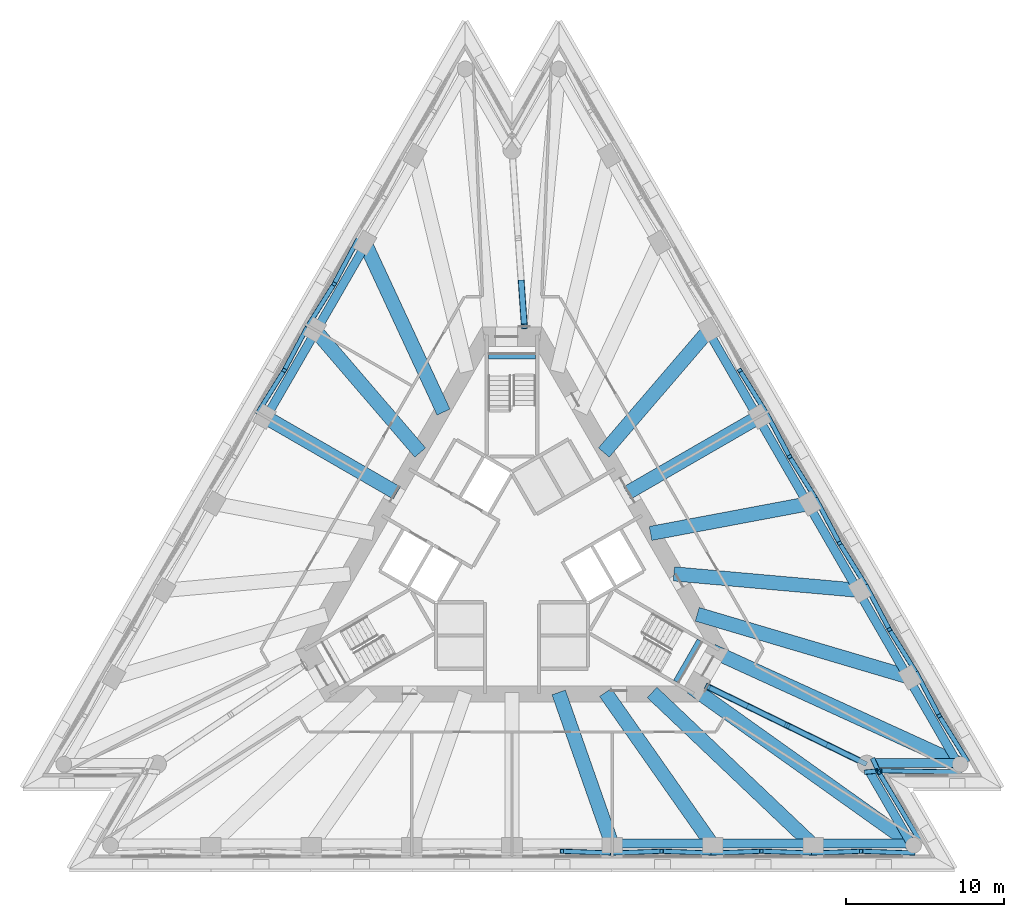
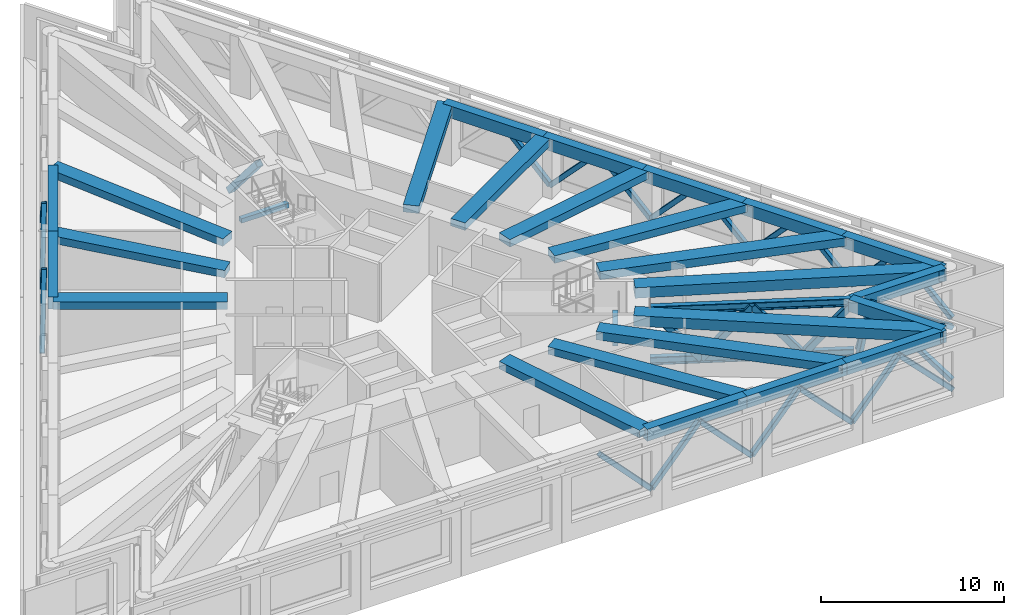
# One storey, part 2 of 12: 31 members, 27 beams.
"""IFC4 building model written with IfcOpenShell, lengths in metres."""

import ifcopenshell
import ifcopenshell.guid

model = None  # the IFC model being written
_history = None  # IfcOwnerHistory: only IFC2X3 demands one
_inside = {}  # id of a spatial element -> (the spatial element, [elements in it])
_under = {}  # id of a project, library or spatial element -> (it, [spatial elements below it])
_declared = {}  # id of a project -> (the project, [libraries it declares])
_typed = {}  # id of a type object -> (the type object, [elements of that type])
_made_of = {}  # id of a material, layer set ... -> (it, [elements and type objects made of it])


def new_model(schema):
    """Start an empty IFC model of exactly this schema.

    Asked for "IFC4X3", IfcOpenShell would pick the latest addendum, in which some entities
    have other attributes; the version numbers below select the first issue.
    IFC2X3 requires an IfcOwnerHistory on every rooted entity: one is made here for all.
    """
    global model, _history
    if schema == "IFC4X3":
        model = ifcopenshell.file(schema_version=(4, 3, 0, 0))
    else:
        model = ifcopenshell.file(schema=schema)
    _inside.clear()
    _under.clear()
    _declared.clear()
    _typed.clear()
    _made_of.clear()
    _history = None
    if model.schema == "IFC2X3":
        org = make("IfcOrganization", Name="unknown")
        user = make(
            "IfcPersonAndOrganization",
            ThePerson=make("IfcPerson", FamilyName="unknown"),
            TheOrganization=org,
        )
        app = make(
            "IfcApplication",
            ApplicationDeveloper=org,
            Version="unknown",
            ApplicationFullName="unknown",
            ApplicationIdentifier="unknown",
        )
        _history = make(
            "IfcOwnerHistory",
            OwningUser=user,
            OwningApplication=app,
            ChangeAction="ADDED",
            CreationDate=0,
        )
    return model


def make(cls, **values):
    """One entity of the class cls with the attributes given. An attribute that is None is left unset."""
    return model.create_entity(
        cls, **{name: value for name, value in values.items() if value is not None}
    )


def rooted(cls, **values):
    """An entity with a GlobalId (a new one), such as an element, a storey or a relation."""
    return make(cls, GlobalId=ifcopenshell.guid.new(), OwnerHistory=_history, **values)


def si_unit(unit_type, name, prefix=None):
    """IfcSIUnit, for example si_unit("LENGTHUNIT", "METRE", prefix="MILLI")."""
    return make("IfcSIUnit", UnitType=unit_type, Prefix=prefix, Name=name)


def assignment(units):
    """IfcUnitAssignment: the units of a project."""
    return None if units is None else make("IfcUnitAssignment", Units=units)


def point(xyz):
    """IfcCartesianPoint."""
    return None if xyz is None else make("IfcCartesianPoint", Coordinates=xyz)


def direction(xyz):
    """IfcDirection."""
    return None if xyz is None else make("IfcDirection", DirectionRatios=xyz)


def frame(location, z_axis=None, x_axis=None):
    """IfcAxis2Placement3D, a coordinate frame: its origin and axes. An axis left out is left unset."""
    return make(
        "IfcAxis2Placement3D",
        Location=point(location),
        Axis=direction(z_axis),
        RefDirection=direction(x_axis),
    )


def frame_2d(location, x_axis=None):
    """IfcAxis2Placement2D, a coordinate frame in the plane: its origin and x axis."""
    return make(
        "IfcAxis2Placement2D", Location=point(location), RefDirection=direction(x_axis)
    )


def origin():
    """The frame at (0, 0, 0) with its axes left unset."""
    return frame((0.0, 0.0, 0.0))


def origin_2d():
    """The frame at (0, 0) in the plane with its x axis left unset."""
    return frame_2d((0.0, 0.0))


def place(relative_to, where):
    """IfcLocalPlacement: puts the frame where relative to a parent placement (None: the world)."""
    return make(
        "IfcLocalPlacement", PlacementRelTo=relative_to, RelativePlacement=where
    )


def context(
    kind, dimensions, precision=None, world=None, true_north=None, identifier=None
):
    """IfcGeometricRepresentationContext, for example the 3D "Model" context."""
    return make(
        "IfcGeometricRepresentationContext",
        ContextIdentifier=identifier,
        ContextType=kind,
        CoordinateSpaceDimension=dimensions,
        Precision=precision,
        WorldCoordinateSystem=world,
        TrueNorth=true_north,
    )


def subcontext(parent, identifier, kind, view, scale=None):
    """IfcGeometricRepresentationSubContext, for example "Body" below "Model"."""
    return make(
        "IfcGeometricRepresentationSubContext",
        ContextIdentifier=identifier,
        ContextType=kind,
        ParentContext=parent,
        TargetScale=scale,
        TargetView=view,
    )


def project(units=None, contexts=None):
    """IfcProject with its units and contexts."""
    return rooted(
        "IfcProject",
        Name="project",
        RepresentationContexts=contexts,
        UnitsInContext=assignment(units),
    )


def spatial(cls, under=None, at=None, **own):
    """A site, building, storey or space (cls), placed at a placement, below another one or the project."""
    s = rooted(cls, ObjectPlacement=at, **own)
    if under is not None:
        _under.setdefault(under.id(), (under, []))[1].append(s)
    return s


def profile(cls, at=None, kind="AREA", **sizes):
    """A parametric profile (cls). Its sizes go by their IFC names, for example OverallWidth=200.0."""
    return make(cls, ProfileType=kind, Position=at, **sizes)


def rectangle(**sizes):
    """IfcRectangleProfileDef."""
    return profile("IfcRectangleProfileDef", **sizes)


def hollow_rectangle(**sizes):
    """IfcRectangleHollowProfileDef."""
    return profile("IfcRectangleHollowProfileDef", **sizes)


def i_section(**sizes):
    """IfcIShapeProfileDef."""
    return profile("IfcIShapeProfileDef", **sizes)


def extrude(swept, where, along, depth):
    """IfcExtrudedAreaSolid: the profile swept, set in the frame where, extruded along a direction by depth."""
    return make(
        "IfcExtrudedAreaSolid",
        SweptArea=swept,
        Position=where,
        ExtrudedDirection=direction(along),
        Depth=depth,
    )


def shape(context_of_items, identifier, shape_type, items):
    """IfcShapeRepresentation: the items that make up one representation, for example the "Body"."""
    return make(
        "IfcShapeRepresentation",
        ContextOfItems=context_of_items,
        RepresentationIdentifier=identifier,
        RepresentationType=shape_type,
        Items=items,
    )


def material(Name=None, Category=None):
    """IfcMaterial."""
    return make("IfcMaterial", Name=Name, Category=Category)


def material_profile(
    of_material, cross_section, Name=None, Category=None, Priority=None
):
    """IfcMaterialProfile: a cross section and its material."""
    return make(
        "IfcMaterialProfile",
        Name=Name,
        Material=of_material,
        Profile=cross_section,
        Priority=Priority,
        Category=Category,
    )


def profile_set(profiles, Name=None, composite=None):
    """IfcMaterialProfileSet."""
    return make(
        "IfcMaterialProfileSet",
        Name=Name,
        MaterialProfiles=profiles,
        CompositeProfile=composite,
    )


def made_of(thing, what):
    """Note that an element or type object is made of a material, layer set ...; save() writes the relation."""
    if what is not None:
        _made_of.setdefault(what.id(), (what, []))[1].append(thing)
    return thing


def type_object(cls, material=None, **own):
    """A type object (cls), such as IfcWallType, which elements share."""
    return made_of(rooted(cls, **own), material)


def element(
    cls,
    number,
    at=None,
    inside=None,
    cuts=None,
    type_object=None,
    material=None,
    context=None,
    identifier="Body",
    shape_type=None,
    held_by="IfcProductDefinitionShape",
    body=None,
    shapes=None,
    **own,
):
    """One element of the class cls, such as IfcWall. Its Tag is "e" and its number.

    at: its placement. inside: the storey or other place that contains it. cuts: it is an
    opening in that element (IfcRelVoidsElement). A single representation is given by context,
    identifier, shape_type and body (its items); several are given by shapes. held_by: the class
    of the entity that holds the representations. save() writes the other relations.
    """
    e = rooted(cls, Tag="e%d" % number, ObjectPlacement=at, **own)
    if body is not None:
        shapes = [shape(context, identifier, shape_type, body)]
    if shapes is not None:
        e.Representation = make(held_by, Representations=shapes)
    if inside is not None:
        _inside.setdefault(inside.id(), (inside, []))[1].append(e)
    if cuts is not None:
        rooted(
            "IfcRelVoidsElement", RelatingBuildingElement=cuts, RelatedOpeningElement=e
        )
    if type_object is not None:
        _typed.setdefault(type_object.id(), (type_object, []))[1].append(e)
    return made_of(e, material)


def aggregate(whole, parts):
    """IfcRelAggregates: a whole, such as a stair, and the parts it consists of."""
    return rooted("IfcRelAggregates", RelatingObject=whole, RelatedObjects=parts)


def save(model, path):
    """Write the relations noted so far, then the file.

    IfcRelAggregates (storeys below a building ...), IfcRelContainedInSpatialStructure (elements
    in a storey), IfcRelDefinesByType, IfcRelAssociatesMaterial and IfcRelDeclares: one each for
    every whole, place, type object, material and project.
    """
    for whole, parts in _under.values():
        aggregate(whole, parts)
    for where, things in _inside.values():
        rooted(
            "IfcRelContainedInSpatialStructure",
            RelatedElements=things,
            RelatingStructure=where,
        )
    for kind, things in _typed.values():
        rooted("IfcRelDefinesByType", RelatedObjects=things, RelatingType=kind)
    for what, things in _made_of.values():
        rooted("IfcRelAssociatesMaterial", RelatedObjects=things, RelatingMaterial=what)
    for by, libraries in _declared.values():
        rooted("IfcRelDeclares", RelatingContext=by, RelatedDefinitions=libraries)
    model.write(path)


model = new_model("IFC4")

# Units and contexts
model_context = context("Model", 3, precision=1e-05, world=origin(), true_north=direction((0.0, 1.0)))
body_context = subcontext(model_context, "Body", "Model", "MODEL_VIEW")
ifc_project = project(units=[si_unit("LENGTHUNIT", "METRE"), si_unit("AREAUNIT", "SQUARE_METRE"), si_unit("VOLUMEUNIT", "CUBIC_METRE"), si_unit("PLANEANGLEUNIT", "RADIAN"), si_unit("MASSUNIT", "GRAM", prefix="KILO")], contexts=[model_context])

# Site, building, storey
site_placement = place(None, origin())
site = spatial("IfcSite", under=ifc_project, at=site_placement, CompositionType="ELEMENT")
building_placement = place(site_placement, origin())
building = spatial("IfcBuilding", under=site, at=building_placement, Name="Triada Interchange Tower", CompositionType="ELEMENT")
storey_placement = place(building_placement, frame((0.0, 0.0, 180.800048828125)))
storey = spatial("IfcBuildingStorey", under=building, at=storey_placement, Name="L42", CompositionType="ELEMENT", Elevation=180.800048828125)

# Members
ifc_material_1 = material(Name="Steel S355", Category="steel")
ifc_material_profile_1 = material_profile(ifc_material_1, hollow_rectangle(XDim=0.300048828125, YDim=0.300048828125, WallThickness=0.01611328125, InnerFilletRadius=0.01611328125, OuterFilletRadius=0.02392578125, at=origin_2d()), Name="RHS 300x300x16")
ifc_profile_set_1 = profile_set([ifc_material_profile_1], Name="Steel S355")
member_type_1 = type_object("IfcMemberType", Name="Belt truss diagonal RHS 300x300x16", PredefinedType="BRACE", material=ifc_profile_set_1)
member_1_placement = place(storey_placement, frame((-9.717041015625, 20.25, 0.14990234375), z_axis=(-0.326440456096, -0.612482462948, 0.719931844833), x_axis=(0.882482646576, -0.470344956912, 0.0)))
element("IfcMember", 1, at=member_1_placement, inside=storey, type_object=member_type_1, Name="Belt truss diagonal 005 L42", PredefinedType="BRACE", context=body_context, shape_type="SweptSolid", body=[
    extrude(hollow_rectangle(XDim=0.300048828125, YDim=0.300048828125, WallThickness=0.01611328125, InnerFilletRadius=0.01611328125, OuterFilletRadius=0.02392578125, at=origin_2d()), origin(), (0.0, 0.0, 1.0), 4.6533203125),
])
member_2_placement = place(storey_placement, frame((-12.886962890625, 14.760009765625, 0.14990234375), z_axis=(0.3609602785, 0.577205485273, 0.732489935163), x_axis=(-0.847861716798, 0.530217416904, 0.0)))
element("IfcMember", 2, at=member_2_placement, inside=storey, type_object=member_type_1, Name="Belt truss diagonal 006 L42", PredefinedType="BRACE", context=body_context, shape_type="SweptSolid", body=[
    extrude(hollow_rectangle(XDim=0.300048828125, YDim=0.300048828125, WallThickness=0.01611328125, InnerFilletRadius=0.01611328125, OuterFilletRadius=0.02392578125, at=origin_2d()), origin(), (0.0, 0.0, 1.0), 4.573486328125),
])
member_3_placement = place(storey_placement, frame((-12.886962890625, 14.760009765625, 0.14990234375), z_axis=(-0.324233971551, -0.608677511046, 0.724143645446), x_axis=(0.882590069783, -0.470143349119, 0.0)))
element("IfcMember", 3, at=member_3_placement, inside=storey, type_object=member_type_1, Name="Belt truss diagonal 007 L42", PredefinedType="BRACE", context=body_context, shape_type="SweptSolid", body=[
    extrude(hollow_rectangle(XDim=0.300048828125, YDim=0.300048828125, WallThickness=0.01611328125, InnerFilletRadius=0.01611328125, OuterFilletRadius=0.02392578125, at=origin_2d()), origin(), (0.0, 0.0, 1.0), 4.626220703125),
])
member_4_placement = place(storey_placement, frame((-16.055908203125, 9.27099609375, 0.14990234375), z_axis=(0.362865876134, 0.581190532153, 0.728385832697), x_axis=(-0.848246297169, 0.529601944237, 0.0)))
element("IfcMember", 4, at=member_4_placement, inside=storey, type_object=member_type_1, Name="Belt truss diagonal 008 L42", PredefinedType="BRACE", context=body_context, shape_type="SweptSolid", body=[
    extrude(hollow_rectangle(XDim=0.300048828125, YDim=0.300048828125, WallThickness=0.01611328125, InnerFilletRadius=0.01611328125, OuterFilletRadius=0.02392578125, at=origin_2d()), origin(), (0.0, 0.0, 1.0), 4.599365234375),
])
member_5_placement = place(storey_placement, frame((6.339111328125, -18.541015625, 0.14990234375), z_axis=(-0.689305671041, 0.023798274335, 0.724079646178), x_axis=(-0.034504436166, -0.999404544659, 0.0)))
element("IfcMember", 5, at=member_5_placement, inside=storey, type_object=member_type_1, Name="Belt truss diagonal 030 L42", PredefinedType="BRACE", context=body_context, shape_type="SweptSolid", body=[
    extrude(hollow_rectangle(XDim=0.300048828125, YDim=0.300048828125, WallThickness=0.01611328125, InnerFilletRadius=0.01611328125, OuterFilletRadius=0.02392578125, at=origin_2d()), origin(), (0.0, 0.0, 1.0), 4.626708984375),
])
member_6_placement = place(storey_placement, frame((6.339111328125, -18.541015625, 0.14990234375), z_axis=(0.680257927554, 0.02407756438, 0.732577247049), x_axis=(-0.035372607226, 0.999374193512, 0.0)))
element("IfcMember", 6, at=member_6_placement, inside=storey, type_object=member_type_1, Name="Belt truss diagonal 031 L42", PredefinedType="BRACE", context=body_context, shape_type="SweptSolid", body=[
    extrude(hollow_rectangle(XDim=0.300048828125, YDim=0.300048828125, WallThickness=0.01611328125, InnerFilletRadius=0.01611328125, OuterFilletRadius=0.02392578125, at=origin_2d()), origin(), (0.0, 0.0, 1.0), 4.572998046875),
])
member_7_placement = place(storey_placement, frame((12.677978515625, -18.541015625, 0.14990234375), z_axis=(-0.6936712802, 0.023661000406, 0.719902987968), x_axis=(-0.034089991232, -0.999418767333, 0.0)))
element("IfcMember", 7, at=member_7_placement, inside=storey, type_object=member_type_1, Name="Belt truss diagonal 032 L42", PredefinedType="BRACE", context=body_context, shape_type="SweptSolid", body=[
    extrude(hollow_rectangle(XDim=0.300048828125, YDim=0.300048828125, WallThickness=0.01611328125, InnerFilletRadius=0.01611328125, OuterFilletRadius=0.02392578125, at=origin_2d()), origin(), (0.0, 0.0, 1.0), 4.653564453125),
])
member_8_placement = place(storey_placement, frame((12.677978515625, -18.541015625, 0.14990234375), z_axis=(0.675774455183, 0.024213416961, 0.73671065973), x_axis=(-0.035807640745, 0.9993587008, 0.0)))
element("IfcMember", 8, at=member_8_placement, inside=storey, type_object=member_type_1, Name="Belt truss diagonal 033 L42", PredefinedType="BRACE", context=body_context, shape_type="SweptSolid", body=[
    extrude(hollow_rectangle(XDim=0.300048828125, YDim=0.300048828125, WallThickness=0.01611328125, InnerFilletRadius=0.01611328125, OuterFilletRadius=0.02392578125, at=origin_2d()), origin(), (0.0, 0.0, 1.0), 4.54736328125),
])
member_9_placement = place(storey_placement, frame((19.01806640625, -18.541015625, 0.14990234375), z_axis=(-0.697988510116, 0.023523600214, 0.715722488105), x_axis=(-0.033682864271, -0.99943257134, 0.0)))
element("IfcMember", 9, at=member_9_placement, inside=storey, type_object=member_type_1, Name="Belt truss diagonal 034 L42", PredefinedType="BRACE", context=body_context, shape_type="SweptSolid", body=[
    extrude(hollow_rectangle(XDim=0.300048828125, YDim=0.300048828125, WallThickness=0.01611328125, InnerFilletRadius=0.01611328125, OuterFilletRadius=0.02392578125, at=origin_2d()), origin(), (0.0, 0.0, 1.0), 4.6806640625),
])
member_10_placement = place(storey_placement, frame((19.01806640625, -18.541015625, 0.14990234375), z_axis=(0.670947574384, 0.024357832733, 0.741104613676), x_axis=(-0.036279730735, 0.999341673872, 0.0)))
element("IfcMember", 10, at=member_10_placement, inside=storey, type_object=member_type_1, Name="Belt truss diagonal 035 L42", PredefinedType="BRACE", context=body_context, shape_type="SweptSolid", body=[
    extrude(hollow_rectangle(XDim=0.300048828125, YDim=0.300048828125, WallThickness=0.01611328125, InnerFilletRadius=0.01611328125, OuterFilletRadius=0.02392578125, at=origin_2d()), origin(), (0.0, 0.0, 1.0), 4.5205078125),
])
member_11_placement = place(storey_placement, frame((25.35693359375, -18.541015625, 0.14990234375), z_axis=(-0.702204667153, 0.023387807761, 0.711590904858), x_axis=(-0.033287797008, -0.999445807721, 0.0)))
element("IfcMember", 11, at=member_11_placement, inside=storey, type_object=member_type_1, Name="Belt truss diagonal 036 L42", PredefinedType="BRACE", context=body_context, shape_type="SweptSolid", body=[
    extrude(hollow_rectangle(XDim=0.300048828125, YDim=0.300048828125, WallThickness=0.01611328125, InnerFilletRadius=0.01611328125, OuterFilletRadius=0.02392578125, at=origin_2d()), origin(), (0.0, 0.0, 1.0), 4.7080078125),
])
member_12_placement = place(storey_placement, frame((25.781005859375, -17.805908203125, 0.14990234375), z_axis=(-0.428991864848, 0.716882213511, 0.549587001162), x_axis=(-0.85809301178, -0.513494287344, 0.0)))
element("IfcMember", 12, at=member_12_placement, inside=storey, type_object=member_type_1, Name="Belt truss diagonal 037 L42", PredefinedType="BRACE", context=body_context, shape_type="SweptSolid", body=[
    extrude(hollow_rectangle(XDim=0.300048828125, YDim=0.300048828125, WallThickness=0.01611328125, InnerFilletRadius=0.01611328125, OuterFilletRadius=0.02392578125, at=origin_2d()), origin(), (0.0, 0.0, 1.0), 6.095703125),
])
for number, where, z_axis, x_axis, name in (
    (13, (22.826904296875, -12.68896484375, 0.14990234375), (0.098318894237, -0.216598859874, 0.97129724026), (0.910580365335, 0.413332067794, 0.0), "Belt truss diagonal 038 L42"),
    (14, (22.403076171875, -13.424072265625, 0.14990234375), (0.236569634936, 0.023218085057, 0.971337082764), (-0.097675525689, 0.995218313578, 0.0), "Belt truss diagonal 039 L42"),
):
    element("IfcMember", number, at=place(storey_placement, frame(where, z_axis=z_axis, x_axis=x_axis)), inside=storey, type_object=member_type_1, Name=name, PredefinedType="BRACE", context=body_context, shape_type="SweptSolid", body=[
        extrude(hollow_rectangle(XDim=0.300048828125, YDim=0.300048828125, WallThickness=0.01611328125, InnerFilletRadius=0.01611328125, OuterFilletRadius=0.02392578125, at=origin_2d()), origin(), (0.0, 0.0, 1.0), 3.448974609375),
    ])
member_13_placement = place(storey_placement, frame((28.31103515625, -13.424072265625, 0.14990234375), z_axis=(-0.835339670984, 0.013136664529, 0.54957716667), x_axis=(-0.015724190845, -0.999876367269, 0.0)))
element("IfcMember", 15, at=member_13_placement, inside=storey, type_object=member_type_1, Name="Belt truss diagonal 040 L42", PredefinedType="BRACE", context=body_context, shape_type="SweptSolid", body=[
    extrude(hollow_rectangle(XDim=0.300048828125, YDim=0.300048828125, WallThickness=0.01611328125, InnerFilletRadius=0.01611328125, OuterFilletRadius=0.02392578125, at=origin_2d()), origin(), (0.0, 0.0, 1.0), 6.095703125),
])
member_14_placement = place(storey_placement, frame((28.735107421875, -12.68896484375, 0.14990234375), z_axis=(-0.371312618373, 0.596433858088, 0.71161337281), x_axis=(-0.848930026825, -0.528505259723, 0.0)))
element("IfcMember", 16, at=member_14_placement, inside=storey, type_object=member_type_1, Name="Belt truss diagonal 041 L42", PredefinedType="BRACE", context=body_context, shape_type="SweptSolid", body=[
    extrude(hollow_rectangle(XDim=0.300048828125, YDim=0.300048828125, WallThickness=0.01611328125, InnerFilletRadius=0.01611328125, OuterFilletRadius=0.02392578125, at=origin_2d()), origin(), (0.0, 0.0, 1.0), 4.707763671875),
])
member_15_placement = place(storey_placement, frame((25.56494140625, -7.198974609375, 0.14990234375), z_axis=(0.314558908092, -0.593260800737, 0.741008984864), x_axis=(0.883492360334, 0.468445566989, 0.0)))
element("IfcMember", 17, at=member_15_placement, inside=storey, type_object=member_type_1, Name="Belt truss diagonal 042 L42", PredefinedType="BRACE", context=body_context, shape_type="SweptSolid", body=[
    extrude(hollow_rectangle(XDim=0.300048828125, YDim=0.300048828125, WallThickness=0.01611328125, InnerFilletRadius=0.01611328125, OuterFilletRadius=0.02392578125, at=origin_2d()), origin(), (0.0, 0.0, 1.0), 4.52099609375),
])
member_16_placement = place(storey_placement, frame((25.56494140625, -7.198974609375, 0.14990234375), z_axis=(-0.369223993746, 0.592698928644, 0.715808369905), x_axis=(-0.84877799092, -0.528749394449, 0.0)))
element("IfcMember", 18, at=member_16_placement, inside=storey, type_object=member_type_1, Name="Belt truss diagonal 043 L42", PredefinedType="BRACE", context=body_context, shape_type="SweptSolid", body=[
    extrude(hollow_rectangle(XDim=0.300048828125, YDim=0.300048828125, WallThickness=0.01611328125, InnerFilletRadius=0.01611328125, OuterFilletRadius=0.02392578125, at=origin_2d()), origin(), (0.0, 0.0, 1.0), 4.68017578125),
])
member_17_placement = place(storey_placement, frame((22.39599609375, -1.708984375, 0.14990234375), z_axis=(0.316885043696, -0.597313810762, 0.736749672924), x_axis=(0.883383908062, 0.46865005172, 0.0)))
element("IfcMember", 19, at=member_17_placement, inside=storey, type_object=member_type_1, Name="Belt truss diagonal 044 L42", PredefinedType="BRACE", context=body_context, shape_type="SweptSolid", body=[
    extrude(hollow_rectangle(XDim=0.300048828125, YDim=0.300048828125, WallThickness=0.01611328125, InnerFilletRadius=0.01611328125, OuterFilletRadius=0.02392578125, at=origin_2d()), origin(), (0.0, 0.0, 1.0), 4.547119140625),
])
member_18_placement = place(storey_placement, frame((22.39599609375, -1.708984375, 0.14990234375), z_axis=(-0.367278764267, 0.58885279591, 0.719971314753), x_axis=(-0.848486386736, -0.529217206375, 0.0)))
element("IfcMember", 20, at=member_18_placement, inside=storey, type_object=member_type_1, Name="Belt truss diagonal 045 L42", PredefinedType="BRACE", context=body_context, shape_type="SweptSolid", body=[
    extrude(hollow_rectangle(XDim=0.300048828125, YDim=0.300048828125, WallThickness=0.01611328125, InnerFilletRadius=0.01611328125, OuterFilletRadius=0.02392578125, at=origin_2d()), origin(), (0.0, 0.0, 1.0), 4.653076171875),
])
member_19_placement = place(storey_placement, frame((19.22607421875, 3.781005859375, 0.14990234375), z_axis=(0.319411738601, -0.601245625602, 0.732447840422), x_axis=(0.883115719457, 0.469155225962, 0.0)))
element("IfcMember", 21, at=member_19_placement, inside=storey, type_object=member_type_1, Name="Belt truss diagonal 046 L42", PredefinedType="BRACE", context=body_context, shape_type="SweptSolid", body=[
    extrude(hollow_rectangle(XDim=0.300048828125, YDim=0.300048828125, WallThickness=0.01611328125, InnerFilletRadius=0.01611328125, OuterFilletRadius=0.02392578125, at=origin_2d()), origin(), (0.0, 0.0, 1.0), 4.57373046875),
])
member_20_placement = place(storey_placement, frame((19.22607421875, 3.781005859375, 0.14990234375), z_axis=(-0.36506939314, 0.585124231155, 0.724122898621), x_axis=(-0.848410718151, -0.529338505426, 0.0)))
element("IfcMember", 22, at=member_20_placement, inside=storey, type_object=member_type_1, Name="Belt truss diagonal 047 L42", PredefinedType="BRACE", context=body_context, shape_type="SweptSolid", body=[
    extrude(hollow_rectangle(XDim=0.300048828125, YDim=0.300048828125, WallThickness=0.01611328125, InnerFilletRadius=0.01611328125, OuterFilletRadius=0.02392578125, at=origin_2d()), origin(), (0.0, 0.0, 1.0), 4.62646484375),
])
member_21_placement = place(storey_placement, frame((16.055908203125, 9.27099609375, 0.14990234375), z_axis=(0.321985252002, -0.604962895595, 0.7282481668), x_axis=(0.882753493698, 0.469836428307, 0.0)))
element("IfcMember", 23, at=member_21_placement, inside=storey, type_object=member_type_1, Name="Belt truss diagonal 048 L42", PredefinedType="BRACE", context=body_context, shape_type="SweptSolid", body=[
    extrude(hollow_rectangle(XDim=0.300048828125, YDim=0.300048828125, WallThickness=0.01611328125, InnerFilletRadius=0.01611328125, OuterFilletRadius=0.02392578125, at=origin_2d()), origin(), (0.0, 0.0, 1.0), 4.60009765625),
])
member_22_placement = place(storey_placement, frame((16.055908203125, 9.27099609375, 0.14990234375), z_axis=(-0.362865876134, 0.581190532153, 0.728385832697), x_axis=(-0.848246297169, -0.529601944237, 0.0)))
element("IfcMember", 24, at=member_22_placement, inside=storey, type_object=member_type_1, Name="Belt truss diagonal 049 L42", PredefinedType="BRACE", context=body_context, shape_type="SweptSolid", body=[
    extrude(hollow_rectangle(XDim=0.300048828125, YDim=0.300048828125, WallThickness=0.01611328125, InnerFilletRadius=0.01611328125, OuterFilletRadius=0.02392578125, at=origin_2d()), origin(), (0.0, 0.0, 1.0), 4.599365234375),
])

# Beams
ifc_material_2 = material(Name="Concrete C35/45", Category="concrete")
ifc_material_profile_2 = material_profile(ifc_material_2, rectangle(XDim=0.300048828125, YDim=0.300048828125, at=origin_2d()), Name="RC 300x300")
ifc_profile_set_2 = profile_set([ifc_material_profile_2], Name="Concrete C35/45")
beam_type_1 = type_object("IfcBeamType", Name="Landing support beam RC 300x300", PredefinedType="BEAM", material=ifc_profile_set_2)
beam_1_placement = place(storey_placement, frame((1.5, 12.800048828125, 1.822265625), z_axis=(-1.0, 0.0, 0.0), x_axis=(0.0, -1.0, 0.0)))
element("IfcBeam", 25, at=beam_1_placement, inside=storey, type_object=beam_type_1, Name="Landing support beam S42-1 1", PredefinedType="BEAM", context=body_context, shape_type="SweptSolid", body=[
    extrude(rectangle(XDim=0.300048828125, YDim=0.300048828125, at=origin_2d()), origin(), (0.0, 0.0, 1.0), 3.0),
])
beam_2_placement = place(storey_placement, frame((10.3349609375, -7.698974609375, 1.822265625), z_axis=(0.50002537861, 0.866010750942, 0.0), x_axis=(-0.866010750942, 0.50002537861, 0.0)))
element("IfcBeam", 26, at=beam_2_placement, inside=storey, type_object=beam_type_1, Name="Landing support beam S42-3 1", PredefinedType="BEAM", context=body_context, shape_type="SweptSolid", body=[
    extrude(rectangle(XDim=0.300048828125, YDim=0.300048828125, at=origin_2d()), origin(), (0.0, 0.0, 1.0), 2.999755859375),
])

# Members
ifc_material_3 = material(Name="Steel S460M", Category="steel")
ifc_material_profile_3 = material_profile(ifc_material_3, i_section(OverallWidth=0.305908203125, OverallDepth=0.52392578125, WebThickness=0.02099609375, FlangeThickness=0.0400390625, FilletRadius=0.027099609375, at=origin_2d()), Name="HEM 500")
ifc_profile_set_3 = profile_set([ifc_material_profile_3], Name="Steel S460M")
member_type_2 = type_object("IfcMemberType", Name="Outrigger chord HEM 500", PredefinedType="CHORD", material=ifc_profile_set_3)
for number, where, z_axis, x_axis, name in (
    (27, (12.35498046875, -8.037109375, 0.261962890625), (0.898928339512, -0.43809569779, 0.0), (0.43809569779, 0.898928339512, 0.0), "Outrigger bottom chord SE L42"),
    (28, (12.35498046875, -8.037109375, 3.637939453125), (0.898928339512, -0.43809569779, 0.0), (0.43809569779, 0.898928339512, 0.0), "Outrigger top chord SE L42"),
):
    element("IfcMember", number, at=place(storey_placement, frame(where, z_axis=z_axis, x_axis=x_axis)), inside=storey, type_object=member_type_2, Name=name, PredefinedType="CHORD", context=body_context, shape_type="SweptSolid", body=[
        extrude(i_section(OverallWidth=0.305908203125, OverallDepth=0.52392578125, WebThickness=0.02099609375, FlangeThickness=0.0400390625, FilletRadius=0.027099609375, at=origin_2d()), origin(), (0.0, 0.0, 1.0), 11.177978515625),
    ])
ifc_material_profile_4 = material_profile(ifc_material_1, hollow_rectangle(XDim=0.39990234375, YDim=0.39990234375, WallThickness=0.02001953125, InnerFilletRadius=0.02001953125, OuterFilletRadius=0.030029296875, at=origin_2d()), Name="RHS 400x400x20")
ifc_profile_set_4 = profile_set([ifc_material_profile_4], Name="Steel S355")
member_type_3 = type_object("IfcMemberType", Name="Outrigger diagonal RHS 400x400x20", PredefinedType="BRACE", material=ifc_profile_set_4)
member_23_placement = place(storey_placement, frame((0.782958984375, 14.718017578125, 3.637939453125), z_axis=(-0.044738283827, 0.635974483049, -0.770412190241), x_axis=(-0.997534863019, -0.070172623303, 0.0)))
element("IfcMember", 29, at=member_23_placement, inside=storey, type_object=member_type_3, Name="Outrigger diagonal N 1 L42", PredefinedType="BRACE", context=body_context, shape_type="SweptSolid", body=[
    extrude(hollow_rectangle(XDim=0.39990234375, YDim=0.39990234375, WallThickness=0.02001953125, InnerFilletRadius=0.02001953125, OuterFilletRadius=0.030029296875, at=origin_2d()), origin(), (0.0, 0.0, 1.0), 4.382080078125),
])
for number, where, z_axis, x_axis, name in (
    (30, (12.35498046875, -8.037109375, 3.637939453125), (0.573199096155, -0.279273697057, -0.770356409916), (0.437998392471, 0.898975755064, 0.0), "Outrigger diagonal SE 1 L42"),
    (31, (14.866943359375, -9.260986328125, 0.261962890625), (0.573190177465, -0.279325060726, 0.770344423558), (0.438068999159, 0.898941350687, 0.0), "Outrigger diagonal SE 2 L42"),
):
    element("IfcMember", number, at=place(storey_placement, frame(where, z_axis=z_axis, x_axis=x_axis)), inside=storey, type_object=member_type_3, Name=name, PredefinedType="BRACE", context=body_context, shape_type="SweptSolid", body=[
        extrude(hollow_rectangle(XDim=0.39990234375, YDim=0.39990234375, WallThickness=0.02001953125, InnerFilletRadius=0.02001953125, OuterFilletRadius=0.030029296875, at=origin_2d()), origin(), (0.0, 0.0, 1.0), 4.38232421875),
    ])
member_24_placement = place(storey_placement, frame((17.37890625, -10.485107421875, 3.637939453125), z_axis=(0.573200817388, -0.279470213881, -0.770283858391), x_axis=(0.438246358404, 0.898854898939, 0.0)))
element("IfcMember", 32, at=member_24_placement, inside=storey, type_object=member_type_3, Name="Outrigger diagonal SE 3 L42", PredefinedType="BRACE", context=body_context, shape_type="SweptSolid", body=[
    extrude(hollow_rectangle(XDim=0.39990234375, YDim=0.39990234375, WallThickness=0.02001953125, InnerFilletRadius=0.02001953125, OuterFilletRadius=0.030029296875, at=origin_2d()), origin(), (0.0, 0.0, 1.0), 4.3828125),
])
member_25_placement = place(storey_placement, frame((19.89111328125, -11.7099609375, 0.261962890625), z_axis=(0.573190177465, -0.279325060726, 0.770344423558), x_axis=(0.438068999159, 0.898941350687, 0.0)))
element("IfcMember", 33, at=member_25_placement, inside=storey, type_object=member_type_3, Name="Outrigger diagonal SE 4 L42", PredefinedType="BRACE", context=body_context, shape_type="SweptSolid", body=[
    extrude(hollow_rectangle(XDim=0.39990234375, YDim=0.39990234375, WallThickness=0.02001953125, InnerFilletRadius=0.02001953125, OuterFilletRadius=0.030029296875, at=origin_2d()), origin(), (0.0, 0.0, 1.0), 4.38232421875),
])

# Beams
ifc_material_4 = material(Name="Concrete C50/60", Category="concrete")
ifc_material_profile_5 = material_profile(ifc_material_4, rectangle(XDim=0.89990234375, YDim=0.5, at=origin_2d()), Name="RC 900x500")
ifc_profile_set_5 = profile_set([ifc_material_profile_5], Name="Concrete C50/60")
beam_type_2 = type_object("IfcBeamType", Name="Radial band beam B RC 900x500", PredefinedType="BEAM", material=ifc_profile_set_5)
beam_3_placement = place(storey_placement, frame((-9.237060546875, 19.883056640625, 3.64990234375), z_axis=(0.421306323564, -0.906918398603, 0.0), x_axis=(0.906918398603, 0.421306323564, 0.0)))
element("IfcBeam", 34, at=beam_3_placement, inside=storey, type_object=beam_type_2, Name="Radial band beam BB03 L43", PredefinedType="BEAM", context=body_context, shape_type="SweptSolid", body=[
    extrude(rectangle(XDim=0.89990234375, YDim=0.5, at=origin_2d()), origin(), (0.0, 0.0, 1.0), 11.6591796875),
])
beam_4_placement = place(storey_placement, frame((-12.386962890625, 14.427001953125, 3.64990234375), z_axis=(0.651407543411, -0.758728022672, 0.0), x_axis=(0.758728022672, 0.651407543411, 0.0)))
element("IfcBeam", 35, at=beam_4_placement, inside=storey, type_object=beam_type_2, Name="Radial band beam BB04 L43", PredefinedType="BEAM", context=body_context, shape_type="SweptSolid", body=[
    extrude(rectangle(XDim=0.89990234375, YDim=0.5, at=origin_2d()), origin(), (0.0, 0.0, 1.0), 10.11181640625),
])
beam_5_placement = place(storey_placement, frame((-15.5380859375, 8.970947265625, 3.64990234375), z_axis=(0.866014293216, -0.500019243575, 0.0), x_axis=(0.500019243575, 0.866014293216, 0.0)))
element("IfcBeam", 36, at=beam_5_placement, inside=storey, type_object=beam_type_2, Name="Radial band beam BB05 L43", PredefinedType="BEAM", context=body_context, shape_type="SweptSolid", body=[
    extrude(rectangle(XDim=0.89990234375, YDim=0.5, at=origin_2d()), origin(), (0.0, 0.0, 1.0), 9.54150390625),
])
beam_6_placement = place(storey_placement, frame((6.300048828125, -17.94091796875, 3.64990234375), z_axis=(-0.331296639516, 0.943526648614, 0.0), x_axis=(-0.943526648614, -0.331296639516, 0.0)))
element("IfcBeam", 37, at=beam_6_placement, inside=storey, type_object=beam_type_2, Name="Radial band beam BB16 L43", PredefinedType="BEAM", context=body_context, shape_type="SweptSolid", body=[
    extrude(rectangle(XDim=0.89990234375, YDim=0.5, at=origin_2d()), origin(), (0.0, 0.0, 1.0), 10.112060546875),
])
beam_7_placement = place(storey_placement, frame((12.60107421875, -17.94091796875, 3.64990234375), z_axis=(-0.574754555012, 0.818325852881, 0.0), x_axis=(-0.818325852881, -0.574754555012, 0.0)))
element("IfcBeam", 38, at=beam_7_placement, inside=storey, type_object=beam_type_2, Name="Radial band beam BB17 L43", PredefinedType="BEAM", context=body_context, shape_type="SweptSolid", body=[
    extrude(rectangle(XDim=0.89990234375, YDim=0.5, at=origin_2d()), origin(), (0.0, 0.0, 1.0), 11.6591796875),
])
beam_8_placement = place(storey_placement, frame((21.837890625, -1.94189453125, 3.64990234375), z_axis=(-0.996067920053, 0.088592881433, 0.0), x_axis=(-0.088592881433, -0.996067920053, 0.0)))
element("IfcBeam", 39, at=beam_8_placement, inside=storey, type_object=beam_type_2, Name="Radial band beam BB23 L43", PredefinedType="BEAM", context=body_context, shape_type="SweptSolid", body=[
    extrude(rectangle(XDim=0.89990234375, YDim=0.5, at=origin_2d()), origin(), (0.0, 0.0, 1.0), 11.65966796875),
])
beam_9_placement = place(storey_placement, frame((18.68798828125, 3.513916015625, 3.64990234375), z_axis=(-0.982773103713, -0.184816196849, 0.0), x_axis=(0.184816196849, -0.982773103713, 0.0)))
element("IfcBeam", 40, at=beam_9_placement, inside=storey, type_object=beam_type_2, Name="Radial band beam BB24 L43", PredefinedType="BEAM", context=body_context, shape_type="SweptSolid", body=[
    extrude(rectangle(XDim=0.89990234375, YDim=0.5, at=origin_2d()), origin(), (0.0, 0.0, 1.0), 10.1123046875),
])
beam_10_placement = place(storey_placement, frame((15.5380859375, 8.970947265625, 3.64990234375), z_axis=(-0.866014293216, -0.500019243575, 0.0), x_axis=(0.500019243575, -0.866014293216, 0.0)))
element("IfcBeam", 41, at=beam_10_placement, inside=storey, type_object=beam_type_2, Name="Radial band beam BB25 L43", PredefinedType="BEAM", context=body_context, shape_type="SweptSolid", body=[
    extrude(rectangle(XDim=0.89990234375, YDim=0.5, at=origin_2d()), origin(), (0.0, 0.0, 1.0), 9.54150390625),
])
beam_11_placement = place(storey_placement, frame((12.386962890625, 14.427001953125, 3.64990234375), z_axis=(-0.651407543411, -0.758728022672, 0.0), x_axis=(0.758728022672, -0.651407543411, 0.0)))
element("IfcBeam", 42, at=beam_11_placement, inside=storey, type_object=beam_type_2, Name="Radial band beam BB26 L43", PredefinedType="BEAM", context=body_context, shape_type="SweptSolid", body=[
    extrude(rectangle(XDim=0.89990234375, YDim=0.5, at=origin_2d()), origin(), (0.0, 0.0, 1.0), 10.11181640625),
])
ifc_material_profile_6 = material_profile(ifc_material_4, rectangle(XDim=0.89990234375, YDim=0.550048828125, at=origin_2d()), Name="RC 900x550")
ifc_profile_set_6 = profile_set([ifc_material_profile_6], Name="Concrete C50/60")
beam_type_3 = type_object("IfcBeamType", Name="Radial band beam B RC 900x550", PredefinedType="BEAM", material=ifc_profile_set_6)
beam_12_placement = place(storey_placement, frame((18.90087890625, -17.94091796875, 3.625), z_axis=(-0.725293171176, 0.688440132361, 0.0), x_axis=(-0.688440132361, -0.725293171176, 0.0)))
element("IfcBeam", 43, at=beam_12_placement, inside=storey, type_object=beam_type_3, Name="Radial band beam BB18 L43", PredefinedType="BEAM", context=body_context, shape_type="SweptSolid", body=[
    extrude(rectangle(XDim=0.89990234375, YDim=0.550048828125, at=origin_2d()), origin(), (0.0, 0.0, 1.0), 13.85888671875),
])
beam_13_placement = place(storey_placement, frame((24.988037109375, -7.39794921875, 3.625), z_axis=(-0.95887005621, 0.283845407402, 0.0), x_axis=(-0.283845407402, -0.95887005621, 0.0)))
element("IfcBeam", 44, at=beam_13_placement, inside=storey, type_object=beam_type_3, Name="Radial band beam BB22 L43", PredefinedType="BEAM", context=body_context, shape_type="SweptSolid", body=[
    extrude(rectangle(XDim=0.89990234375, YDim=0.550048828125, at=origin_2d()), origin(), (0.0, 0.0, 1.0), 13.859130859375),
])
ifc_material_profile_7 = material_profile(ifc_material_4, rectangle(XDim=0.89990234375, YDim=0.699951171875, at=origin_2d()), Name="RC 900x700")
ifc_profile_set_7 = profile_set([ifc_material_profile_7], Name="Concrete C50/60")
beam_type_4 = type_object("IfcBeamType", Name="Radial band beam B RC 900x700", PredefinedType="BEAM", material=ifc_profile_set_7)
for number, where, z_axis, x_axis, name in (
    (45, (25.200927734375, -17.94091796875, 3.550048828125), (-0.814653099064, 0.5799485565, 0.0), (-0.5799485565, -0.814653099064, 0.0), "Radial band beam BB19 L43"),
    (46, (28.137939453125, -12.85400390625, 3.550048828125), (-0.909583375052, 0.415521460131, 0.0), (-0.415521460131, -0.909583375052, 0.0), "Radial band beam BB21 L43"),
):
    element("IfcBeam", number, at=place(storey_placement, frame(where, z_axis=z_axis, x_axis=x_axis)), inside=storey, type_object=beam_type_4, Name=name, PredefinedType="BEAM", context=body_context, shape_type="SweptSolid", body=[
        extrude(rectangle(XDim=0.89990234375, YDim=0.699951171875, at=origin_2d()), origin(), (0.0, 0.0, 1.0), 17.02197265625),
    ])
ifc_material_profile_8 = material_profile(ifc_material_4, rectangle(XDim=0.550048828125, YDim=0.800048828125, at=origin_2d()), Name="RC 550x800")
ifc_profile_set_8 = profile_set([ifc_material_profile_8], Name="Concrete C50/60")
beam_type_5 = type_object("IfcBeamType", Name="Spandrel beam B RC 550x800", PredefinedType="BEAM", material=ifc_profile_set_8)
beam_14_placement = place(storey_placement, frame((-9.237060546875, 19.883056640625, 3.5), z_axis=(-0.499981869177, -0.866035871367, 0.0), x_axis=(0.866035871367, -0.499981869177, 0.0)))
element("IfcBeam", 47, at=beam_14_placement, inside=storey, type_object=beam_type_5, Name="Spandrel beam EB03 L43", PredefinedType="BEAM", context=body_context, shape_type="SweptSolid", body=[
    extrude(rectangle(XDim=0.550048828125, YDim=0.800048828125, at=origin_2d()), origin(), (0.0, 0.0, 1.0), 6.300048828125),
])
beam_15_placement = place(storey_placement, frame((-12.386962890625, 14.427001953125, 3.5), z_axis=(-0.500127172609, -0.865951968193, 0.0), x_axis=(0.865951968193, -0.500127172609, 0.0)))
element("IfcBeam", 48, at=beam_15_placement, inside=storey, type_object=beam_type_5, Name="Spandrel beam EB04 L43", PredefinedType="BEAM", context=body_context, shape_type="SweptSolid", body=[
    extrude(rectangle(XDim=0.550048828125, YDim=0.800048828125, at=origin_2d()), origin(), (0.0, 0.0, 1.0), 6.300537109375),
])
beam_16_placement = place(storey_placement, frame((6.300048828125, -17.94091796875, 3.5), z_axis=(1.0, 0.0, 0.0), x_axis=(0.0, 1.0, 0.0)))
element("IfcBeam", 49, at=beam_16_placement, inside=storey, type_object=beam_type_5, Name="Spandrel beam EB16 L43", PredefinedType="BEAM", context=body_context, shape_type="SweptSolid", body=[
    extrude(rectangle(XDim=0.550048828125, YDim=0.800048828125, at=origin_2d()), origin(), (0.0, 0.0, 1.0), 6.301025390625),
])
beam_17_placement = place(storey_placement, frame((12.60107421875, -17.94091796875, 3.5), z_axis=(1.0, 0.0, 0.0), x_axis=(0.0, 1.0, 0.0)))
element("IfcBeam", 50, at=beam_17_placement, inside=storey, type_object=beam_type_5, Name="Spandrel beam EB17 L43", PredefinedType="BEAM", context=body_context, shape_type="SweptSolid", body=[
    extrude(rectangle(XDim=0.550048828125, YDim=0.800048828125, at=origin_2d()), origin(), (0.0, 0.0, 1.0), 6.2998046875),
])
beam_18_placement = place(storey_placement, frame((18.90087890625, -17.94091796875, 3.5), z_axis=(1.0, 0.0, 0.0), x_axis=(0.0, 1.0, 0.0)))
element("IfcBeam", 51, at=beam_18_placement, inside=storey, type_object=beam_type_5, Name="Spandrel beam EB18 L43", PredefinedType="BEAM", context=body_context, shape_type="SweptSolid", body=[
    extrude(rectangle(XDim=0.550048828125, YDim=0.800048828125, at=origin_2d()), origin(), (0.0, 0.0, 1.0), 6.300048828125),
])
for number, where, z_axis, x_axis, name in (
    (52, (25.200927734375, -17.94091796875, 3.5), (-0.500010280449, 0.866019468283, 0.0), (-0.866019468283, -0.500010280449, 0.0), "Spandrel beam EB19 L43"),
    (53, (22.263916015625, -12.85400390625, 3.5), (1.0, 0.0, 0.0), (0.0, 1.0, 0.0), "Spandrel beam EB20 L43"),
):
    element("IfcBeam", number, at=place(storey_placement, frame(where, z_axis=z_axis, x_axis=x_axis)), inside=storey, type_object=beam_type_5, Name=name, PredefinedType="BEAM", context=body_context, shape_type="SweptSolid", body=[
        extrude(rectangle(XDim=0.550048828125, YDim=0.800048828125, at=origin_2d()), origin(), (0.0, 0.0, 1.0), 5.8740234375),
    ])
for number, where, z_axis, x_axis, name in (
    (54, (28.137939453125, -12.85400390625, 3.5), (-0.499981869177, 0.866035871367, 0.0), (-0.866035871367, -0.499981869177, 0.0), "Spandrel beam EB21 L43"),
    (55, (24.988037109375, -7.39794921875, 3.5), (-0.500010933242, 0.866019091382, 0.0), (-0.866019091382, -0.500010933242, 0.0), "Spandrel beam EB22 L43"),
):
    element("IfcBeam", number, at=place(storey_placement, frame(where, z_axis=z_axis, x_axis=x_axis)), inside=storey, type_object=beam_type_5, Name=name, PredefinedType="BEAM", context=body_context, shape_type="SweptSolid", body=[
        extrude(rectangle(XDim=0.550048828125, YDim=0.800048828125, at=origin_2d()), origin(), (0.0, 0.0, 1.0), 6.300048828125),
    ])
beam_19_placement = place(storey_placement, frame((21.837890625, -1.94189453125, 3.5), z_axis=(-0.499998649469, 0.866026183513, 0.0), x_axis=(-0.866026183513, -0.499998649469, 0.0)))
element("IfcBeam", 56, at=beam_19_placement, inside=storey, type_object=beam_type_5, Name="Spandrel beam EB23 L43", PredefinedType="BEAM", context=body_context, shape_type="SweptSolid", body=[
    extrude(rectangle(XDim=0.550048828125, YDim=0.800048828125, at=origin_2d()), origin(), (0.0, 0.0, 1.0), 6.2998046875),
])
beam_20_placement = place(storey_placement, frame((18.68798828125, 3.513916015625, 3.5), z_axis=(-0.499914757397, 0.866074613031, 0.0), x_axis=(-0.866074613031, -0.499914757397, 0.0)))
element("IfcBeam", 57, at=beam_20_placement, inside=storey, type_object=beam_type_5, Name="Spandrel beam EB24 L43", PredefinedType="BEAM", context=body_context, shape_type="SweptSolid", body=[
    extrude(rectangle(XDim=0.550048828125, YDim=0.800048828125, at=origin_2d()), origin(), (0.0, 0.0, 1.0), 6.30078125),
])
beam_21_placement = place(storey_placement, frame((15.5380859375, 8.970947265625, 3.5), z_axis=(-0.500127172609, 0.865951968193, 0.0), x_axis=(-0.865951968193, -0.500127172609, 0.0)))
element("IfcBeam", 58, at=beam_21_placement, inside=storey, type_object=beam_type_5, Name="Spandrel beam EB25 L43", PredefinedType="BEAM", context=body_context, shape_type="SweptSolid", body=[
    extrude(rectangle(XDim=0.550048828125, YDim=0.800048828125, at=origin_2d()), origin(), (0.0, 0.0, 1.0), 6.300537109375),
])

save(model, "model.ifc")
